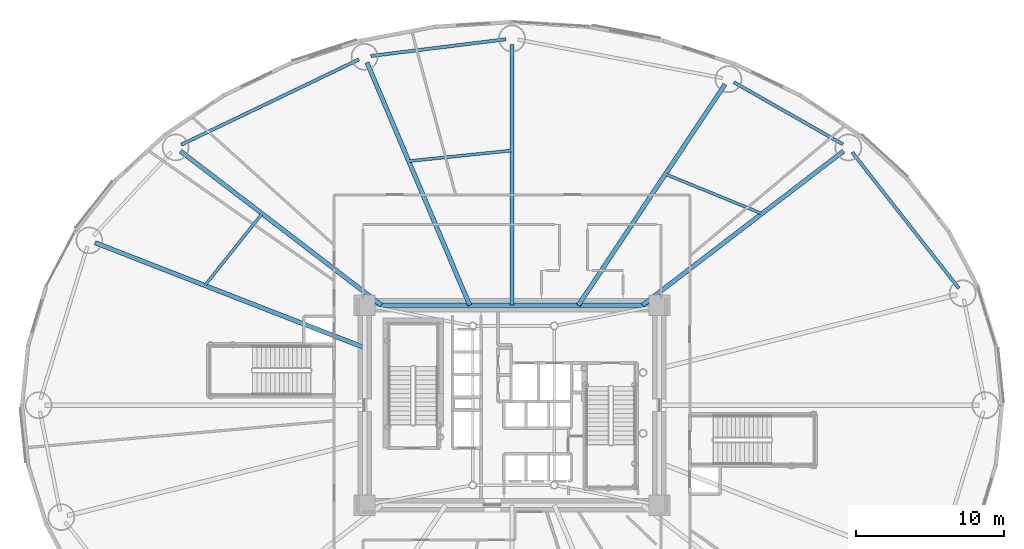
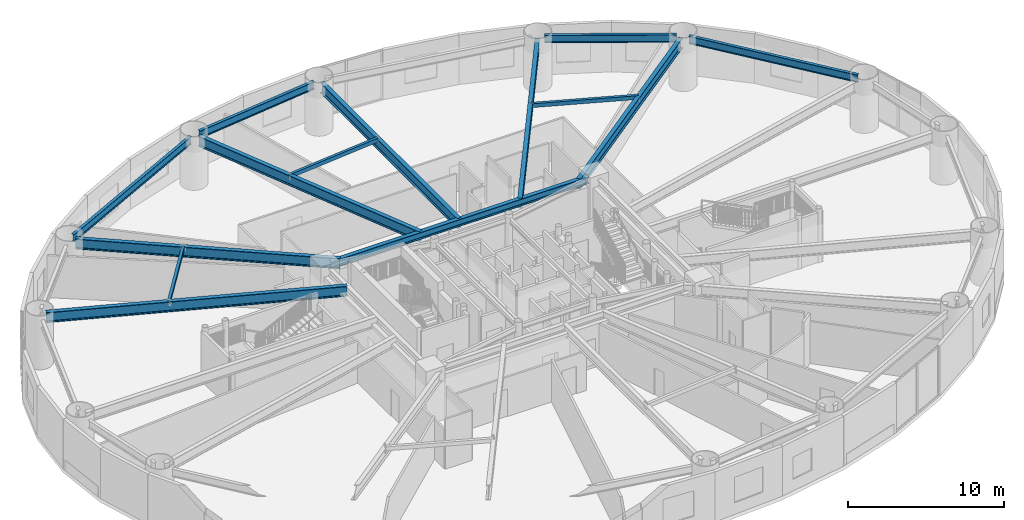
# One storey, part 9 of 30: 14 beams.
"""IFC4 building model written with IfcOpenShell, lengths in metres."""

from ifc_helpers import new_model, si_unit, direction, frame, origin, origin_2d, place, context, subcontext, project, spatial, hollow_rectangle, i_section, extrude, material, material_profile, profile_set, type_object, element, save


model = new_model("IFC4")

# Units and contexts
model_context = context("Model", 3, precision=1e-05, world=origin(), true_north=direction((0.0, 1.0)))
body_context = subcontext(model_context, "Body", "Model", "MODEL_VIEW")
ifc_project = project(units=[si_unit("LENGTHUNIT", "METRE"), si_unit("AREAUNIT", "SQUARE_METRE"), si_unit("VOLUMEUNIT", "CUBIC_METRE"), si_unit("PLANEANGLEUNIT", "RADIAN"), si_unit("MASSUNIT", "GRAM", prefix="KILO")], contexts=[model_context])

# Site, building, storey
site_placement = place(None, origin())
site = spatial("IfcSite", under=ifc_project, at=site_placement, CompositionType="ELEMENT")
building_placement = place(site_placement, origin())
building = spatial("IfcBuilding", under=site, at=building_placement, Name="Linh Dai School and Residence Tower", CompositionType="ELEMENT")
storey_placement = place(building_placement, frame((0.0, 0.0, 10.199951171875)))
storey = spatial("IfcBuildingStorey", under=building, at=storey_placement, Name="L02", CompositionType="ELEMENT", Elevation=10.199951171875)

# Beams
ifc_material = material(Name="Structural Steel S355JR", Category="steel")
ifc_material_profile_1 = material_profile(ifc_material, hollow_rectangle(XDim=0.199951171875, YDim=0.300048828125, WallThickness=0.010009765625, at=origin_2d()), Name="RHS 300x200x10")
ifc_profile_set_1 = profile_set([ifc_material_profile_1], Name="Structural Steel S355JR")
beam_type_1 = type_object("IfcBeamType", Name="BM-BX3", PredefinedType="BEAM", material=ifc_profile_set_1)
beam_1_placement = place(storey_placement, frame((52.86376953125, 39.92919921875, 3.75), z_axis=(-0.925227399646, 0.3794130453, 0.0), x_axis=(-0.3794130453, -0.925227399646, 0.0)))
element("IfcBeam", 1, at=beam_1_placement, inside=storey, type_object=beam_type_1, Name="L02 Secondary Circumferential Floor Beam 02", PredefinedType="BEAM", context=body_context, shape_type="SweptSolid", body=[
    extrude(hollow_rectangle(XDim=0.199951171875, YDim=0.300048828125, WallThickness=0.010009765625, at=origin_2d()), origin(), (0.0, 0.0, 1.0), 7.029296875),
])
beam_2_placement = place(storey_placement, frame((35.9951171875, 44.189453125, 3.75), z_axis=(-0.994772627995, -0.102114732487, 0.0), x_axis=(0.102114732487, -0.994772627995, 0.0)))
element("IfcBeam", 2, at=beam_2_placement, inside=storey, type_object=beam_type_1, Name="L02 Secondary Circumferential Floor Beam 03", PredefinedType="BEAM", context=body_context, shape_type="SweptSolid", body=[
    extrude(hollow_rectangle(XDim=0.199951171875, YDim=0.300048828125, WallThickness=0.010009765625, at=origin_2d()), origin(), (0.0, 0.0, 1.0), 6.998046875),
])
beam_3_placement = place(storey_placement, frame((19.128662109375, 39.923583984375, 3.75), z_axis=(-0.622932148127, -0.782275871308, 0.0), x_axis=(0.782275871308, -0.622932148127, 0.0)))
element("IfcBeam", 3, at=beam_3_placement, inside=storey, type_object=beam_type_1, Name="L02 Secondary Circumferential Floor Beam 04", PredefinedType="BEAM", context=body_context, shape_type="SweptSolid", body=[
    extrude(hollow_rectangle(XDim=0.199951171875, YDim=0.300048828125, WallThickness=0.010009765625, at=origin_2d()), origin(), (0.0, 0.0, 1.0), 6.186767578125),
])
ifc_material_profile_2 = material_profile(ifc_material, i_section(OverallWidth=0.219970703125, OverallDepth=0.60009765625, WebThickness=0.011962890625, FlangeThickness=0.01904296875, FilletRadius=0.02392578125, at=origin_2d()), Name="IPE 600")
ifc_profile_set_2 = profile_set([ifc_material_profile_2], Name="Structural Steel S355JR")
beam_type_2 = type_object("IfcBeamType", Name="BM-RB60", PredefinedType="BEAM", material=ifc_profile_set_2)
beam_4_placement = place(storey_placement, frame((66.161376953125, 34.885986328125, 3.60009765625), z_axis=(-0.616811949607, 0.787110550572, 0.0), x_axis=(-0.787110550572, -0.616811949607, 0.0)))
element("IfcBeam", 4, at=beam_4_placement, inside=storey, type_object=beam_type_2, Name="L02 Perimeter Elliptical Ring Beam 02", PredefinedType="BEAM", context=body_context, shape_type="SweptSolid", body=[
    extrude(i_section(OverallWidth=0.219970703125, OverallDepth=0.60009765625, WebThickness=0.011962890625, FlangeThickness=0.01904296875, FilletRadius=0.02392578125, at=origin_2d()), origin(), (0.0, 0.0, 1.0), 11.668212890625),
])
beam_5_placement = place(storey_placement, frame((58.340087890625, 44.6083984375, 3.60009765625), z_axis=(-0.869246663758, 0.494378637833, 0.0), x_axis=(-0.494378637833, -0.869246663758, 0.0)))
element("IfcBeam", 5, at=beam_5_placement, inside=storey, type_object=beam_type_2, Name="L02 Perimeter Elliptical Ring Beam 03", PredefinedType="BEAM", context=body_context, shape_type="SweptSolid", body=[
    extrude(i_section(OverallWidth=0.219970703125, OverallDepth=0.60009765625, WebThickness=0.011962890625, FlangeThickness=0.01904296875, FilletRadius=0.02392578125, at=origin_2d()), origin(), (0.0, 0.0, 1.0), 8.4736328125),
])
beam_6_placement = place(storey_placement, frame((35.583251953125, 51.6982421875, 3.60009765625), z_axis=(-0.992402470446, -0.123033884169, 0.0), x_axis=(0.123033884169, -0.992402470446, 0.0)))
element("IfcBeam", 6, at=beam_6_placement, inside=storey, type_object=beam_type_2, Name="L02 Perimeter Elliptical Ring Beam 05", PredefinedType="BEAM", context=body_context, shape_type="SweptSolid", body=[
    extrude(i_section(OverallWidth=0.219970703125, OverallDepth=0.60009765625, WebThickness=0.011962890625, FlangeThickness=0.01904296875, FilletRadius=0.02392578125, at=origin_2d()), origin(), (0.0, 0.0, 1.0), 9.1875),
])
beam_7_placement = place(storey_placement, frame((25.670166015625, 50.33447265625, 3.60009765625), z_axis=(-0.901703667424, -0.432354595388, 0.0), x_axis=(0.432354595388, -0.901703667424, 0.0)))
element("IfcBeam", 7, at=beam_7_placement, inside=storey, type_object=beam_type_2, Name="L02 Perimeter Elliptical Ring Beam 06", PredefinedType="BEAM", context=body_context, shape_type="SweptSolid", body=[
    extrude(i_section(OverallWidth=0.219970703125, OverallDepth=0.60009765625, WebThickness=0.011962890625, FlangeThickness=0.01904296875, FilletRadius=0.02392578125, at=origin_2d()), origin(), (0.0, 0.0, 1.0), 13.304443359375),
])
ifc_material_profile_3 = material_profile(ifc_material, i_section(OverallWidth=0.300048828125, OverallDepth=0.550048828125, WebThickness=0.014892578125, FlangeThickness=0.029052734375, FilletRadius=0.027099609375, at=origin_2d()), Name="HEB 550")
ifc_profile_set_3 = profile_set([ifc_material_profile_3], Name="Structural Steel S355JR")
beam_type_3 = type_object("IfcBeamType", Name="BM-RG55", PredefinedType="BEAM", material=ifc_profile_set_3)
beam_8_placement = place(storey_placement, frame((45.530029296875, 33.75, 3.625), z_axis=(-1.0, 0.0, 0.0), x_axis=(0.0, -1.0, 0.0)))
element("IfcBeam", 8, at=beam_8_placement, inside=storey, type_object=beam_type_3, Name="L02 Core Perimeter Coupling Girder 3", PredefinedType="BEAM", context=body_context, shape_type="SweptSolid", body=[
    extrude(i_section(OverallWidth=0.300048828125, OverallDepth=0.550048828125, WebThickness=0.014892578125, FlangeThickness=0.029052734375, FilletRadius=0.027099609375, at=origin_2d()), origin(), (0.0, 0.0, 1.0), 19.06005859375),
])
ifc_material_profile_4 = material_profile(ifc_material, i_section(OverallWidth=0.300048828125, OverallDepth=0.800048828125, WebThickness=0.017578125, FlangeThickness=0.032958984375, FilletRadius=0.030029296875, at=origin_2d()), Name="HEB 800")
ifc_profile_set_4 = profile_set([ifc_material_profile_4], Name="Structural Steel S355JR")
beam_type_4 = type_object("IfcBeamType", Name="BM-RG8", PredefinedType="BEAM", material=ifc_profile_set_4)
beam_9_placement = place(storey_placement, frame((44.807861328125, 33.75, 3.5), z_axis=(0.793713040757, 0.608292371259, 0.0), x_axis=(-0.608292371259, 0.793713040757, 0.0)))
element("IfcBeam", 9, at=beam_9_placement, inside=storey, type_object=beam_type_4, Name="L02 Primary Radial Floor Girder 03", PredefinedType="BEAM", context=body_context, shape_type="SweptSolid", body=[
    extrude(i_section(OverallWidth=0.300048828125, OverallDepth=0.800048828125, WebThickness=0.017578125, FlangeThickness=0.032958984375, FilletRadius=0.030029296875, at=origin_2d()), origin(), (0.0, 0.0, 1.0), 17.08935546875),
])
beam_10_placement = place(storey_placement, frame((40.481201171875, 33.75, 3.5), z_axis=(0.553108911901, 0.833108955404, 0.0), x_axis=(-0.833108955404, 0.553108911901, 0.0)))
element("IfcBeam", 10, at=beam_10_placement, inside=storey, type_object=beam_type_4, Name="L02 Primary Radial Floor Girder 04", PredefinedType="BEAM", context=body_context, shape_type="SweptSolid", body=[
    extrude(i_section(OverallWidth=0.300048828125, OverallDepth=0.800048828125, WebThickness=0.017578125, FlangeThickness=0.032958984375, FilletRadius=0.030029296875, at=origin_2d()), origin(), (0.0, 0.0, 1.0), 17.89111328125),
])
beam_11_placement = place(storey_placement, frame((36.0, 33.75, 3.5), z_axis=(0.0, 1.0, 0.0), x_axis=(-1.0, 0.0, 0.0)))
element("IfcBeam", 11, at=beam_11_placement, inside=storey, type_object=beam_type_4, Name="L02 Primary Radial Floor Girder 05", PredefinedType="BEAM", context=body_context, shape_type="SweptSolid", body=[
    extrude(i_section(OverallWidth=0.300048828125, OverallDepth=0.800048828125, WebThickness=0.017578125, FlangeThickness=0.032958984375, FilletRadius=0.030029296875, at=origin_2d()), origin(), (0.0, 0.0, 1.0), 17.580078125),
])
beam_12_placement = place(storey_placement, frame((33.1435546875, 33.75, 3.5), z_axis=(-0.389695518128, 0.920943756779, 0.0), x_axis=(-0.920943756779, -0.389695518128, 0.0)))
element("IfcBeam", 12, at=beam_12_placement, inside=storey, type_object=beam_type_4, Name="L02 Primary Radial Floor Girder 06", PredefinedType="BEAM", context=body_context, shape_type="SweptSolid", body=[
    extrude(i_section(OverallWidth=0.300048828125, OverallDepth=0.800048828125, WebThickness=0.017578125, FlangeThickness=0.032958984375, FilletRadius=0.030029296875, at=origin_2d()), origin(), (0.0, 0.0, 1.0), 17.785400390625),
])
beam_13_placement = place(storey_placement, frame((27.192138671875, 33.75, 3.5), z_axis=(-0.793713040757, 0.608292371259, 0.0), x_axis=(-0.608292371259, -0.793713040757, 0.0)))
element("IfcBeam", 13, at=beam_13_placement, inside=storey, type_object=beam_type_4, Name="L02 Primary Radial Floor Girder 07", PredefinedType="BEAM", context=body_context, shape_type="SweptSolid", body=[
    extrude(i_section(OverallWidth=0.300048828125, OverallDepth=0.800048828125, WebThickness=0.017578125, FlangeThickness=0.032958984375, FilletRadius=0.030029296875, at=origin_2d()), origin(), (0.0, 0.0, 1.0), 17.08935546875),
])
beam_14_placement = place(storey_placement, frame((26.050048828125, 30.87841796875, 3.5), z_axis=(-0.931723276589, 0.363169018312, 0.0), x_axis=(-0.363169018312, -0.931723276589, 0.0)))
element("IfcBeam", 14, at=beam_14_placement, inside=storey, type_object=beam_type_4, Name="L02 Primary Radial Floor Girder 08", PredefinedType="BEAM", context=body_context, shape_type="SweptSolid", body=[
    extrude(i_section(OverallWidth=0.300048828125, OverallDepth=0.800048828125, WebThickness=0.017578125, FlangeThickness=0.032958984375, FilletRadius=0.030029296875, at=origin_2d()), origin(), (0.0, 0.0, 1.0), 19.525634765625),
])

save(model, "model.ifc")
